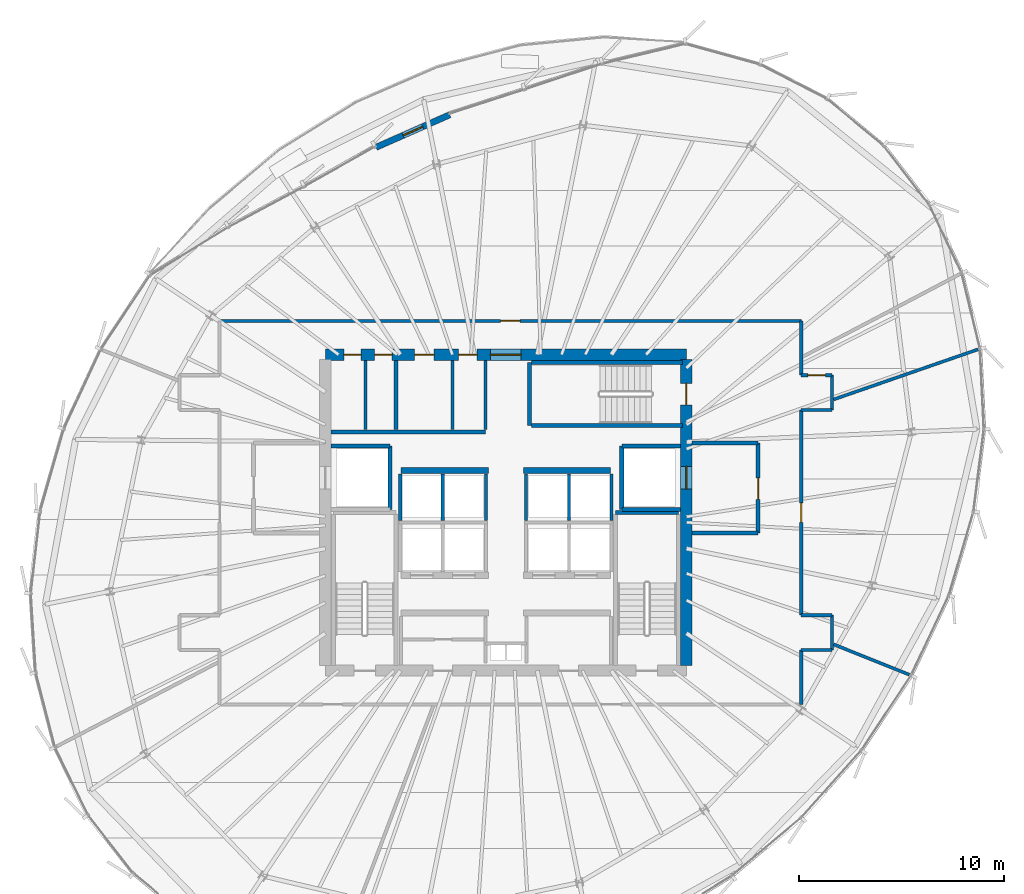
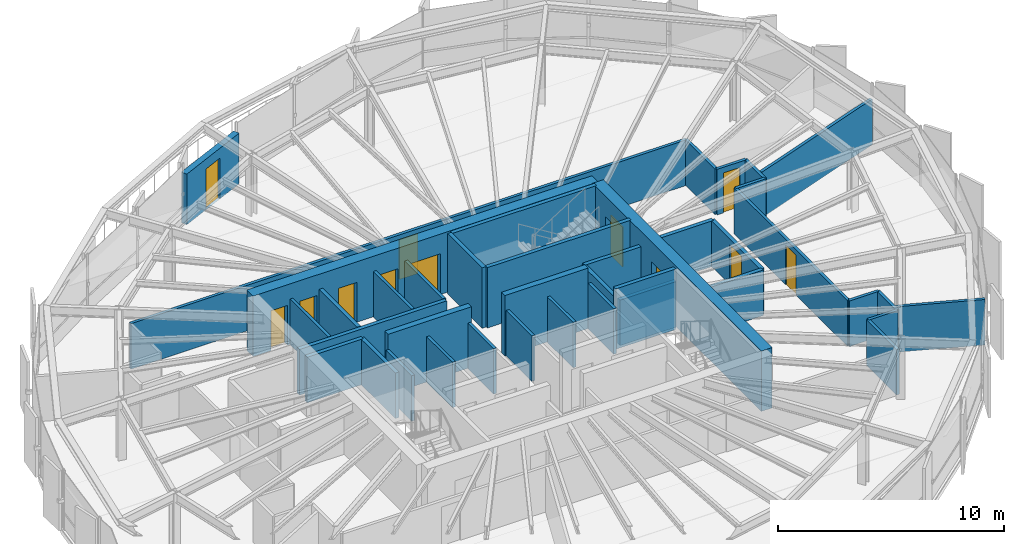
# One storey, part 29 of 33: 40 walls, 12 doors, 12 openings.
"""IFC4 building model written with IfcOpenShell, lengths in metres."""

from ifc_helpers import new_model, si_unit, direction, frame, frame_2d, origin, place, context, subcontext, project, spatial, rectangle, extrude, source, transform, mapped, material, layer, layer_set, type_object, element, fill, save


model = new_model("IFC4")

# Units and contexts
model_context = context("Model", 3, precision=1e-05, world=origin(), true_north=direction((0.0, 1.0)))
body_context = subcontext(model_context, "Body", "Model", "MODEL_VIEW")
ifc_project = project(units=[si_unit("LENGTHUNIT", "METRE"), si_unit("AREAUNIT", "SQUARE_METRE"), si_unit("VOLUMEUNIT", "CUBIC_METRE"), si_unit("PLANEANGLEUNIT", "RADIAN"), si_unit("MASSUNIT", "GRAM", prefix="KILO"), si_unit("THERMODYNAMICTEMPERATUREUNIT", "KELVIN")], contexts=[model_context])

# Site, building, storey
site_placement = place(None, origin())
site = spatial("IfcSite", under=ifc_project, at=site_placement, CompositionType="ELEMENT")
building_placement = place(site_placement, origin())
building = spatial("IfcBuilding", under=site, at=building_placement, Name="Kethvar Cultural Tower", CompositionType="ELEMENT")
storey_placement = place(building_placement, frame((0.0, 0.0, 211.39990234375)))
storey = spatial("IfcBuildingStorey", under=building, at=storey_placement, Name="L55", CompositionType="ELEMENT", Elevation=211.39990234375)

# Wall, openings, doors
ifc_material_1 = material(Name="Concrete C60/75", Category="concrete")
ifc_layer_1 = layer(ifc_material_1, 0.550048828125, Name="Concrete C60/75", Category="concrete")
ifc_layer_set_1 = layer_set([ifc_layer_1], Name="Concrete C60/75 (550 mm)")
wall_type_1 = type_object("IfcWallType", Name="WL-CORE-550", PredefinedType="SHEAR", material=ifc_layer_set_1)
wall_1_placement = place(storey_placement, frame((55.60009765625, 35.5, 0.0), z_axis=(0.0, 0.0, 1.0), x_axis=(-1.0, 0.0, 0.0)))
wall_1 = element("IfcWall", 1, at=wall_1_placement, inside=storey, type_object=wall_type_1, Name="L55 Core Shear Wall N", PredefinedType="SHEAR", context=body_context, shape_type="SweptSolid", body=[
    extrude(rectangle(XDim=17.60009765625, YDim=0.550048828125, at=frame_2d((8.800048828125, 0.0))), origin(), (0.0, 0.0, 1.0), 3.260009765625),
])
opening_1_placement = place(wall_1_placement, frame((8.050048828125, 0.0, 0.0)))
opening_1 = element("IfcOpeningElement", 2, at=opening_1_placement, cuts=wall_1, Name="Opening D-L55-LN", PredefinedType="OPENING", context=body_context, shape_type="SweptSolid", body=[
    extrude(rectangle(XDim=1.5, YDim=2.199951171875, at=frame_2d((0.75, 1.10009765625))), frame((0.0, 0.284912109375, 0.0), z_axis=(0.0, -1.0, 0.0), x_axis=(1.0, 0.0, 0.0)), (0.0, 0.0, 1.0), 0.570068359375),
])
opening_2_placement = place(wall_1_placement, frame((15.85009765625, 0.0, 0.0)))
opening_2 = element("IfcOpeningElement", 3, at=opening_2_placement, cuts=wall_1, Name="Opening D-L55-E1", PredefinedType="OPENING", context=body_context, shape_type="SweptSolid", body=[
    extrude(rectangle(XDim=0.85009765625, YDim=2.14990234375, at=frame_2d((0.425048828125, 1.074951171875))), frame((0.0, 0.284912109375, 0.0), z_axis=(0.0, -1.0, 0.0), x_axis=(1.0, 0.0, 0.0)), (0.0, 0.0, 1.0), 0.570068359375),
])
opening_3_placement = place(wall_1_placement, frame((14.35009765625, 0.0, 0.0)))
opening_3 = element("IfcOpeningElement", 4, at=opening_3_placement, cuts=wall_1, Name="Opening D-L55-E2", PredefinedType="OPENING", context=body_context, shape_type="SweptSolid", body=[
    extrude(rectangle(XDim=0.85009765625, YDim=2.14990234375, at=frame_2d((0.425048828125, 1.074951171875))), frame((0.0, 0.284912109375, 0.0), z_axis=(0.0, -1.0, 0.0), x_axis=(1.0, 0.0, 0.0)), (0.0, 0.0, 1.0), 0.570068359375),
])
opening_4_placement = place(wall_1_placement, frame((12.300048828125, 0.0, 0.0)))
opening_4 = element("IfcOpeningElement", 5, at=opening_4_placement, cuts=wall_1, Name="Opening D-L55-W1", PredefinedType="OPENING", context=body_context, shape_type="SweptSolid", body=[
    extrude(rectangle(XDim=0.949951171875, YDim=2.14990234375, at=frame_2d((0.47509765625, 1.074951171875))), frame((0.0, 0.284912109375, 0.0), z_axis=(0.0, -1.0, 0.0), x_axis=(1.0, 0.0, 0.0)), (0.0, 0.0, 1.0), 0.570068359375),
])
opening_5_placement = place(wall_1_placement, frame((10.199951171875, 0.0, 0.0)))
opening_5 = element("IfcOpeningElement", 6, at=opening_5_placement, cuts=wall_1, Name="Opening D-L55-W2", PredefinedType="OPENING", context=body_context, shape_type="SweptSolid", body=[
    extrude(rectangle(XDim=0.89990234375, YDim=2.14990234375, at=frame_2d((0.449951171875, 1.074951171875))), frame((0.0, 0.284912109375, 0.0), z_axis=(0.0, -1.0, 0.0), x_axis=(1.0, 0.0, 0.0)), (0.0, 0.0, 1.0), 0.570068359375),
])
ifc_material_2 = material(Name="Architectural Oak Timber", Category="wood")
door_type_1 = type_object("IfcDoorType", Name="DR-DBL-FD60-1500", OperationType="DOUBLE_DOOR_SINGLE_SWING", PredefinedType="DOOR", material=ifc_material_2)
shared_shape_1 = source(origin(), body_context, "Body", "SweptSolid", [
    extrude(rectangle(XDim=1.5, YDim=2.199951171875, at=frame_2d((0.75, 1.10009765625))), frame((0.0, 0.02490234375, 0.0), z_axis=(0.0, -1.0, 0.0), x_axis=(1.0, 0.0, 0.0)), (0.0, 0.0, 1.0), 0.050048828125),
])
door_1_placement = place(opening_1_placement, origin())
door_1 = element("IfcDoor", 7, at=door_1_placement, inside=storey, type_object=door_type_1, Name="L55 Lift Lobby Concourse Door", OperationType="DOUBLE_DOOR_SINGLE_SWING", OverallHeight=2.199951171875, OverallWidth=1.5, PredefinedType="DOOR", context=body_context, shape_type="MappedRepresentation", body=[
    mapped(shared_shape_1, transform((0.0, 0.0, 0.0), scale=1.0)),
])
fill(opening_1, door_1)
door_type_2 = type_object("IfcDoorType", Name="DR-FD30-950", OperationType="NOTDEFINED", PredefinedType="DOOR", material=ifc_material_2)
shared_shape_2 = source(origin(), body_context, "Body", "SweptSolid", [
    extrude(rectangle(XDim=0.949951171875, YDim=2.14990234375, at=frame_2d((0.47509765625, 1.074951171875))), frame((0.0, 0.02490234375, 0.0), z_axis=(0.0, -1.0, 0.0), x_axis=(1.0, 0.0, 0.0)), (0.0, 0.0, 1.0), 0.050048828125),
])
door_2_placement = place(opening_4_placement, origin())
door_2 = element("IfcDoor", 8, at=door_2_placement, inside=storey, type_object=door_type_2, Name="L55 Public Washroom Door", OperationType="SINGLE_SWING_LEFT", OverallHeight=2.14990234375, OverallWidth=0.949951171875, PredefinedType="DOOR", context=body_context, shape_type="MappedRepresentation", body=[
    mapped(shared_shape_2, transform((0.0, 0.0, 0.0), scale=1.0)),
])
fill(opening_4, door_2)
door_type_3 = type_object("IfcDoorType", Name="DR-FD30-900", OperationType="NOTDEFINED", PredefinedType="DOOR", material=ifc_material_2)
shared_shape_3 = source(origin(), body_context, "Body", "SweptSolid", [
    extrude(rectangle(XDim=0.89990234375, YDim=2.14990234375, at=frame_2d((0.449951171875, 1.074951171875))), frame((0.0, 0.02490234375, 0.0), z_axis=(0.0, -1.0, 0.0), x_axis=(1.0, 0.0, 0.0)), (0.0, 0.0, 1.0), 0.050048828125),
])
door_3_placement = place(opening_5_placement, origin())
door_3 = element("IfcDoor", 9, at=door_3_placement, inside=storey, type_object=door_type_3, Name="L55 Accessible Washroom Door", OperationType="SINGLE_SWING_RIGHT", OverallHeight=2.14990234375, OverallWidth=0.89990234375, PredefinedType="DOOR", context=body_context, shape_type="MappedRepresentation", body=[
    mapped(shared_shape_3, transform((0.0, 0.0, 0.0), scale=1.0)),
])
fill(opening_5, door_3)
ifc_material_3 = material(Name="Steel S355J2", Category="steel")
door_type_4 = type_object("IfcDoorType", Name="DR-FD30-850", OperationType="NOTDEFINED", PredefinedType="DOOR", material=ifc_material_3)
shared_shape_4 = source(origin(), body_context, "Body", "SweptSolid", [
    extrude(rectangle(XDim=0.85009765625, YDim=2.14990234375, at=frame_2d((0.425048828125, 1.074951171875))), frame((0.0, 0.02490234375, 0.0), z_axis=(0.0, -1.0, 0.0), x_axis=(1.0, 0.0, 0.0)), (0.0, 0.0, 1.0), 0.050048828125),
])
door_4_placement = place(opening_2_placement, origin())
door_4 = element("IfcDoor", 10, at=door_4_placement, inside=storey, type_object=door_type_4, Name="L55 Electrical Riser Door", OperationType="SINGLE_SWING_LEFT", OverallHeight=2.14990234375, OverallWidth=0.85009765625, PredefinedType="DOOR", context=body_context, shape_type="MappedRepresentation", body=[
    mapped(shared_shape_4, transform((0.0, 0.0, 0.0), scale=1.0)),
])
fill(opening_2, door_4)
door_5_placement = place(opening_3_placement, origin())
door_5 = element("IfcDoor", 11, at=door_5_placement, inside=storey, type_object=door_type_4, Name="L55 Chilled Water Riser Door", OperationType="SINGLE_SWING_RIGHT", OverallHeight=2.14990234375, OverallWidth=0.85009765625, PredefinedType="DOOR", context=body_context, shape_type="MappedRepresentation", body=[
    mapped(shared_shape_4, transform((0.0, 0.0, 0.0), scale=1.0)),
])
fill(opening_3, door_5)

wall_2_placement = place(storey_placement, frame((55.60009765625, 20.340087890625, 0.0), z_axis=(0.0, 0.0, 1.0), x_axis=(0.0, 1.0, 0.0)))
wall_2 = element("IfcWall", 12, at=wall_2_placement, inside=storey, type_object=wall_type_1, Name="L55 Core Shear Wall E", PredefinedType="SHEAR", context=body_context, shape_type="SweptSolid", body=[
    extrude(rectangle(XDim=14.919921875, YDim=0.550048828125, at=frame_2d((7.4599609375, 0.0))), origin(), (0.0, 0.0, 1.0), 3.260009765625),
])
opening_6_placement = place(wall_2_placement, frame((12.7099609375, 0.0, 0.0)))
opening_6 = element("IfcOpeningElement", 13, at=opening_6_placement, cuts=wall_2, Name="Opening D-L55-S3", PredefinedType="OPENING", context=body_context, shape_type="SweptSolid", body=[
    extrude(rectangle(XDim=1.050048828125, YDim=2.14990234375, at=frame_2d((0.52490234375, 1.074951171875))), frame((0.0, 0.284912109375, 0.0), z_axis=(0.0, -1.0, 0.0), x_axis=(1.0, 0.0, 0.0)), (0.0, 0.0, 1.0), 0.570068359375),
])
opening_7_placement = place(wall_2_placement, frame((8.610107421875, 0.0, 0.0)))
opening_7 = element("IfcOpeningElement", 14, at=opening_7_placement, cuts=wall_2, Name="Opening LD-2", PredefinedType="OPENING", context=body_context, shape_type="SweptSolid", body=[
    extrude(rectangle(XDim=1.10009765625, YDim=2.199951171875, at=frame_2d((0.550048828125, 1.10009765625))), frame((0.0, 0.284912109375, 0.0), z_axis=(0.0, -1.0, 0.0), x_axis=(1.0, 0.0, 0.0)), (0.0, 0.0, 1.0), 0.570068359375),
])
door_type_5 = type_object("IfcDoorType", Name="DR-FD60-1050", OperationType="NOTDEFINED", PredefinedType="DOOR", material=ifc_material_3)
shared_shape_5 = source(origin(), body_context, "Body", "SweptSolid", [
    extrude(rectangle(XDim=1.050048828125, YDim=2.14990234375, at=frame_2d((0.52490234375, 1.074951171875))), frame((0.0, 0.02490234375, 0.0), z_axis=(0.0, -1.0, 0.0), x_axis=(1.0, 0.0, 0.0)), (0.0, 0.0, 1.0), 0.050048828125),
])
door_6_placement = place(opening_6_placement, origin())
door_6 = element("IfcDoor", 15, at=door_6_placement, inside=storey, type_object=door_type_5, Name="L55 Exit Stair 3 Door", OperationType="SINGLE_SWING_LEFT", OverallHeight=2.14990234375, OverallWidth=1.050048828125, PredefinedType="DOOR", context=body_context, shape_type="MappedRepresentation", body=[
    mapped(shared_shape_5, transform((0.0, 0.0, 0.0), scale=1.0)),
])
fill(opening_6, door_6)
door_type_6 = type_object("IfcDoorType", Name="DR-LIFT-SLIDE-1100", OperationType="NOTDEFINED", PredefinedType="DOOR", material=ifc_material_3)
shared_shape_6 = source(origin(), body_context, "Body", "SweptSolid", [
    extrude(rectangle(XDim=1.10009765625, YDim=2.199951171875, at=frame_2d((0.550048828125, 1.10009765625))), frame((0.0, 0.02490234375, 0.0), z_axis=(0.0, -1.0, 0.0), x_axis=(1.0, 0.0, 0.0)), (0.0, 0.0, 1.0), 0.050048828125),
])
door_7_placement = place(opening_7_placement, origin())
door_7 = element("IfcDoor", 16, at=door_7_placement, inside=storey, type_object=door_type_6, Name="L55 Firefighting Lift Landing Door FFL-02", OperationType="SLIDING_TO_RIGHT", OverallHeight=2.199951171875, OverallWidth=1.10009765625, PredefinedType="DOOR", context=body_context, shape_type="MappedRepresentation", body=[
    mapped(shared_shape_6, transform((0.0, 0.0, 0.0), scale=1.0)),
])
fill(opening_7, door_7)

# Wall, opening, door
ifc_material_4 = material(Name="Concrete C40/50", Category="concrete")
ifc_layer_2 = layer(ifc_material_4, 0.300048828125, Name="Concrete C40/50", Category="concrete")
ifc_layer_set_2 = layer_set([ifc_layer_2], Name="Concrete C40/50 (300 mm)")
wall_type_2 = type_object("IfcWallType", Name="WL-EXT-TER-300", PredefinedType="SOLIDWALL", material=ifc_layer_set_2)
wall_3_placement = place(storey_placement, frame((40.471923828125, 45.607666015625, 0.0), z_axis=(0.0, 0.0, 1.0), x_axis=(0.914758259642, 0.404001641602, 0.0)))
wall_3 = element("IfcWall", 17, at=wall_3_placement, inside=storey, type_object=wall_type_2, Name="L55 Sky Terrace Access Wall", PredefinedType="SOLIDWALL", context=body_context, shape_type="SweptSolid", body=[
    extrude(rectangle(XDim=3.92431640625, YDim=0.300048828125, at=frame_2d((1.962158203125, 0.0))), origin(), (0.0, 0.0, 1.0), 2.735107421875),
])
opening_8_placement = place(wall_3_placement, frame((1.437255859375, 0.0, 0.0)))
opening_8 = element("IfcOpeningElement", 18, at=opening_8_placement, cuts=wall_3, Name="Opening D-L55-T1", PredefinedType="OPENING", context=body_context, shape_type="SweptSolid", body=[
    extrude(rectangle(XDim=1.050048828125, YDim=2.199951171875, at=frame_2d((0.52490234375, 1.10009765625))), frame((0.0, 0.159912109375, 0.0), z_axis=(0.0, -1.0, 0.0), x_axis=(1.0, 0.0, 0.0)), (0.0, 0.0, 1.0), 0.320068359375),
])
ifc_material_5 = material(Name="Aluminium 6063-T6", Category="aluminium")
door_type_7 = type_object("IfcDoorType", Name="DR-EXT-TER-1050", OperationType="NOTDEFINED", PredefinedType="DOOR", material=ifc_material_5)
shared_shape_7 = source(origin(), body_context, "Body", "SweptSolid", [
    extrude(rectangle(XDim=1.050048828125, YDim=2.199951171875, at=frame_2d((0.52490234375, 1.10009765625))), frame((0.0, 0.02490234375, 0.0), z_axis=(0.0, -1.0, 0.0), x_axis=(1.0, 0.0, 0.0)), (0.0, 0.0, 1.0), 0.050048828125),
])
door_8_placement = place(opening_8_placement, origin())
door_8 = element("IfcDoor", 19, at=door_8_placement, inside=storey, type_object=door_type_7, Name="L55 Sky Terrace Access Door D-L55-T1", OperationType="SINGLE_SWING_LEFT", OverallHeight=2.199951171875, OverallWidth=1.050048828125, PredefinedType="DOOR", context=body_context, shape_type="MappedRepresentation", body=[
    mapped(shared_shape_7, transform((0.0, 0.0, 0.0), scale=1.0)),
])
fill(opening_8, door_8)

# Walls
ifc_material_6 = material(Name="Gypsum Fireboard Partition")
ifc_layer_3 = layer(ifc_material_6, 0.14990234375, Name="Gypsum Fireboard Partition")
ifc_layer_set_3 = layer_set([ifc_layer_3], Name="Gypsum Fireboard Partition (150 mm)")
wall_type_3 = type_object("IfcWallType", Name="WL-FIRE-150", PredefinedType="PARTITIONING", material=ifc_layer_set_3)
for number, where, z_axis, x_axis, name in (
    (20, (41.64990234375, 27.409912109375, 0.0), (0.0, 0.0, 1.0), (0.0, 1.0, 0.0), "L55 High-Rise Lift Shaft Outer Wall W"),
    (21, (43.72509765625, 27.409912109375, 0.0), (0.0, 0.0, 1.0), (0.0, 1.0, 0.0), "L55 High-Rise Lift Shaft Divider W"),
    (22, (45.824951171875, 27.409912109375, 0.0), (0.0, 0.0, 1.0), (0.0, 1.0, 0.0), "L55 High-Rise Lift Shaft Concourse Wall W"),
    (23, (47.77490234375, 27.409912109375, 0.0), (0.0, 0.0, 1.0), (0.0, 1.0, 0.0), "L55 High-Rise Lift Shaft Concourse Wall E"),
    (24, (49.875, 27.409912109375, 0.0), (0.0, 0.0, 1.0), (0.0, 1.0, 0.0), "L55 High-Rise Lift Shaft Divider E"),
    (25, (51.949951171875, 27.409912109375, 0.0), (0.0, 0.0, 1.0), (0.0, 1.0, 0.0), "L55 High-Rise Lift Shaft Outer Wall E"),
):
    element("IfcWall", number, at=place(storey_placement, frame(where, z_axis=z_axis, x_axis=x_axis)), inside=storey, type_object=wall_type_3, Name=name, PredefinedType="PARTITIONING", context=body_context, shape_type="SweptSolid", body=[
        extrude(rectangle(XDim=2.27001953125, YDim=0.14990234375, at=frame_2d((1.135009765625, 0.0))), origin(), (0.0, 0.0, 1.0), 2.455078125),
    ])
for number, where, z_axis, x_axis, name in (
    (26, (45.800048828125, 31.85009765625, 0.0), (0.0, 0.0, 1.0), (0.0, 1.0, 0.0), "L55 Sanitary Spine Wall"),
    (27, (39.949951171875, 31.85009765625, 0.0), (0.0, 0.0, 1.0), (0.0, 1.0, 0.0), "L55 NW Riser Divider"),
):
    element("IfcWall", number, at=place(storey_placement, frame(where, z_axis=z_axis, x_axis=x_axis)), inside=storey, type_object=wall_type_3, Name=name, PredefinedType="PARTITIONING", context=body_context, shape_type="SweptSolid", body=[
        extrude(rectangle(XDim=3.364990234375, YDim=0.14990234375, at=frame_2d((1.6826171875, 0.0))), origin(), (0.0, 0.0, 1.0), 2.455078125),
    ])
wall_4_placement = place(storey_placement, frame((61.199951171875, 18.449951171875, 0.0), z_axis=(0.0, 0.0, 1.0), x_axis=(0.0, 1.0, 0.0)))
element("IfcWall", 28, at=wall_4_placement, inside=storey, type_object=wall_type_3, Name="L55 Corridor Rated Wall E1", PredefinedType="PARTITIONING", context=body_context, shape_type="SweptSolid", body=[
    extrude(rectangle(XDim=2.650146484375, YDim=0.14990234375, at=frame_2d((1.3251953125, 0.0))), origin(), (0.0, 0.0, 1.0), 2.455078125),
])
wall_5_placement = place(storey_placement, frame((61.199951171875, 21.10009765625, 0.0), z_axis=(0.0, 0.0, 1.0), x_axis=(1.0, 0.0, 0.0)))
element("IfcWall", 29, at=wall_5_placement, inside=storey, type_object=wall_type_3, Name="L55 Corridor Rated Wall ESB", PredefinedType="PARTITIONING", context=body_context, shape_type="SweptSolid", body=[
    extrude(rectangle(XDim=1.5, YDim=0.14990234375, at=frame_2d((0.75, 0.0))), origin(), (0.0, 0.0, 1.0), 2.455078125),
])
wall_6_placement = place(storey_placement, frame((62.699951171875, 21.10009765625, 0.0), z_axis=(0.0, 0.0, 1.0), x_axis=(0.0, 1.0, 0.0)))
element("IfcWall", 30, at=wall_6_placement, inside=storey, type_object=wall_type_3, Name="L55 Corridor Rated Wall ES", PredefinedType="PARTITIONING", context=body_context, shape_type="SweptSolid", body=[
    extrude(rectangle(XDim=1.699951171875, YDim=0.14990234375, at=frame_2d((0.85009765625, 0.0))), origin(), (0.0, 0.0, 1.0), 2.455078125),
])
wall_7_placement = place(storey_placement, frame((62.699951171875, 22.800048828125, 0.0), z_axis=(0.0, 0.0, 1.0), x_axis=(-1.0, 0.0, 0.0)))
element("IfcWall", 31, at=wall_7_placement, inside=storey, type_object=wall_type_3, Name="L55 Corridor Rated Wall EST", PredefinedType="PARTITIONING", context=body_context, shape_type="SweptSolid", body=[
    extrude(rectangle(XDim=1.5, YDim=0.14990234375, at=frame_2d((0.75, 0.0))), origin(), (0.0, 0.0, 1.0), 2.455078125),
])

# Wall, opening, door
wall_8_placement = place(storey_placement, frame((61.199951171875, 22.800048828125, 0.0), z_axis=(0.0, 0.0, 1.0), x_axis=(0.0, 1.0, 0.0)))
wall_8 = element("IfcWall", 32, at=wall_8_placement, inside=storey, type_object=wall_type_3, Name="L55 Corridor Rated Wall EM", PredefinedType="PARTITIONING", context=body_context, shape_type="SweptSolid", body=[
    extrude(rectangle(XDim=10.0, YDim=0.14990234375, at=frame_2d((5.0, 0.0))), origin(), (0.0, 0.0, 1.0), 2.455078125),
])
opening_9_placement = place(wall_8_placement, frame((4.52490234375, 0.0, 0.0)))
opening_9 = element("IfcOpeningElement", 33, at=opening_9_placement, cuts=wall_8, Name="Opening D-L55-03", PredefinedType="OPENING", context=body_context, shape_type="SweptSolid", body=[
    extrude(rectangle(XDim=0.949951171875, YDim=2.14990234375, at=frame_2d((0.47509765625, 1.074951171875))), frame((0.0, 0.0849609375, 0.0), z_axis=(0.0, -1.0, 0.0), x_axis=(1.0, 0.0, 0.0)), (0.0, 0.0, 1.0), 0.169921875),
])
door_9_placement = place(opening_9_placement, origin())
door_9 = element("IfcDoor", 34, at=door_9_placement, inside=storey, type_object=door_type_2, Name="L55 Decorative Arts Craft Workshop 03 Door", OperationType="SINGLE_SWING_RIGHT", OverallHeight=2.14990234375, OverallWidth=0.949951171875, PredefinedType="DOOR", context=body_context, shape_type="MappedRepresentation", body=[
    mapped(shared_shape_2, transform((0.0, 0.0, 0.0), scale=1.0)),
])
fill(opening_9, door_9)

# Walls
wall_9_placement = place(storey_placement, frame((61.199951171875, 32.800048828125, 0.0), z_axis=(0.0, 0.0, 1.0), x_axis=(1.0, 0.0, 0.0)))
element("IfcWall", 35, at=wall_9_placement, inside=storey, type_object=wall_type_3, Name="L55 Corridor Rated Wall ENB", PredefinedType="PARTITIONING", context=body_context, shape_type="SweptSolid", body=[
    extrude(rectangle(XDim=1.5, YDim=0.14990234375, at=frame_2d((0.75, 0.0))), origin(), (0.0, 0.0, 1.0), 2.455078125),
])
wall_10_placement = place(storey_placement, frame((62.699951171875, 32.800048828125, 0.0), z_axis=(0.0, 0.0, 1.0), x_axis=(0.0, 1.0, 0.0)))
element("IfcWall", 36, at=wall_10_placement, inside=storey, type_object=wall_type_3, Name="L55 Corridor Rated Wall EN", PredefinedType="PARTITIONING", context=body_context, shape_type="SweptSolid", body=[
    extrude(rectangle(XDim=1.699951171875, YDim=0.14990234375, at=frame_2d((0.85009765625, 0.0))), origin(), (0.0, 0.0, 1.0), 2.455078125),
])

# Wall, opening, door
wall_11_placement = place(storey_placement, frame((62.699951171875, 34.5, 0.0), z_axis=(0.0, 0.0, 1.0), x_axis=(-1.0, 0.0, 0.0)))
wall_11 = element("IfcWall", 37, at=wall_11_placement, inside=storey, type_object=wall_type_3, Name="L55 Corridor Rated Wall ENT", PredefinedType="PARTITIONING", context=body_context, shape_type="SweptSolid", body=[
    extrude(rectangle(XDim=1.5, YDim=0.14990234375, at=frame_2d((0.75, 0.0))), origin(), (0.0, 0.0, 1.0), 2.455078125),
])
opening_10_placement = place(wall_11_placement, frame((0.324951171875, 0.0, 0.0)))
opening_10 = element("IfcOpeningElement", 38, at=opening_10_placement, cuts=wall_11, Name="Opening D-L55-04", PredefinedType="OPENING", context=body_context, shape_type="SweptSolid", body=[
    extrude(rectangle(XDim=0.85009765625, YDim=2.14990234375, at=frame_2d((0.425048828125, 1.074951171875))), frame((0.0, 0.0849609375, 0.0), z_axis=(0.0, -1.0, 0.0), x_axis=(1.0, 0.0, 0.0)), (0.0, 0.0, 1.0), 0.169921875),
])
door_10_placement = place(opening_10_placement, origin())
door_10 = element("IfcDoor", 39, at=door_10_placement, inside=storey, type_object=door_type_4, Name="L55 Scholars' Den Lounge 04 Door", OperationType="SINGLE_SWING_LEFT", OverallHeight=2.14990234375, OverallWidth=0.85009765625, PredefinedType="DOOR", context=body_context, shape_type="MappedRepresentation", body=[
    mapped(shared_shape_4, transform((0.0, 0.0, 0.0), scale=1.0)),
])
fill(opening_10, door_10)

# Wall
wall_12_placement = place(storey_placement, frame((61.199951171875, 34.5, 0.0), z_axis=(0.0, 0.0, 1.0), x_axis=(0.0, 1.0, 0.0)))
element("IfcWall", 40, at=wall_12_placement, inside=storey, type_object=wall_type_3, Name="L55 Corridor Rated Wall E2", PredefinedType="PARTITIONING", context=body_context, shape_type="SweptSolid", body=[
    extrude(rectangle(XDim=2.64990234375, YDim=0.14990234375, at=frame_2d((1.324951171875, 0.0))), origin(), (0.0, 0.0, 1.0), 2.455078125),
])

# Wall, opening, door
wall_13_placement = place(storey_placement, frame((61.199951171875, 37.14990234375, 0.0), z_axis=(0.0, 0.0, 1.0), x_axis=(-1.0, 0.0, 0.0)))
wall_13 = element("IfcWall", 41, at=wall_13_placement, inside=storey, type_object=wall_type_3, Name="L55 Corridor Rated Wall N", PredefinedType="PARTITIONING", context=body_context, shape_type="SweptSolid", body=[
    extrude(rectangle(XDim=28.349853515625, YDim=0.14990234375, at=frame_2d((14.1748046875, 0.0))), origin(), (0.0, 0.0, 1.0), 2.455078125),
])
opening_11_placement = place(wall_13_placement, frame((13.699951171875, 0.0, 0.0)))
opening_11 = element("IfcOpeningElement", 42, at=opening_11_placement, cuts=wall_13, Name="Opening D-L55-05", PredefinedType="OPENING", context=body_context, shape_type="SweptSolid", body=[
    extrude(rectangle(XDim=0.949951171875, YDim=2.14990234375, at=frame_2d((0.47509765625, 1.074951171875))), frame((0.0, 0.0849609375, 0.0), z_axis=(0.0, -1.0, 0.0), x_axis=(1.0, 0.0, 0.0)), (0.0, 0.0, 1.0), 0.169921875),
])
door_11_placement = place(opening_11_placement, origin())
door_11 = element("IfcDoor", 43, at=door_11_placement, inside=storey, type_object=door_type_2, Name="L55 Symposium Conference Room 05 Door", OperationType="SINGLE_SWING_RIGHT", OverallHeight=2.14990234375, OverallWidth=0.949951171875, PredefinedType="DOOR", context=body_context, shape_type="MappedRepresentation", body=[
    mapped(shared_shape_2, transform((0.0, 0.0, 0.0), scale=1.0)),
])
fill(opening_11, door_11)

# Walls
ifc_layer_4 = layer(ifc_material_4, 0.199951171875, Name="Concrete C40/50", Category="concrete")
ifc_layer_set_4 = layer_set([ifc_layer_4], Name="Concrete C40/50 (200 mm)")
wall_type_4 = type_object("IfcWallType", Name="WL-FIRE-200", PredefinedType="PARTITIONING", material=ifc_layer_set_4)
wall_14_placement = place(storey_placement, frame((41.14990234375, 27.949951171875, 0.0), z_axis=(0.0, 0.0, 1.0), x_axis=(0.0, 1.0, 0.0)))
element("IfcWall", 44, at=wall_14_placement, inside=storey, type_object=wall_type_4, Name="L55 FFL-01 Shaft Inner Wall", PredefinedType="PARTITIONING", context=body_context, shape_type="SweptSolid", body=[
    extrude(rectangle(XDim=3.10009765625, YDim=0.199951171875, at=frame_2d((1.550048828125, 0.0))), origin(), (0.0, 0.0, 1.0), 2.455078125),
])
wall_15_placement = place(storey_placement, frame((38.284912109375, 31.050048828125, 0.0), z_axis=(0.0, 0.0, 1.0), x_axis=(1.0, 0.0, 0.0)))
element("IfcWall", 45, at=wall_15_placement, inside=storey, type_object=wall_type_4, Name="L55 FFL-01 Shaft North Wall", PredefinedType="PARTITIONING", context=body_context, shape_type="SweptSolid", body=[
    extrude(rectangle(XDim=2.864990234375, YDim=0.199951171875, at=frame_2d((1.4326171875, 0.0))), origin(), (0.0, 0.0, 1.0), 2.455078125),
])
wall_16_placement = place(storey_placement, frame((52.449951171875, 27.949951171875, 0.0), z_axis=(0.0, 0.0, 1.0), x_axis=(0.0, 1.0, 0.0)))
element("IfcWall", 46, at=wall_16_placement, inside=storey, type_object=wall_type_4, Name="L55 FFL-02 Shaft Inner Wall", PredefinedType="PARTITIONING", context=body_context, shape_type="SweptSolid", body=[
    extrude(rectangle(XDim=3.10009765625, YDim=0.199951171875, at=frame_2d((1.550048828125, 0.0))), origin(), (0.0, 0.0, 1.0), 2.455078125),
])
for number, where, z_axis, x_axis, name in (
    (47, (52.449951171875, 27.949951171875, 0.0), (0.0, 0.0, 1.0), (1.0, 0.0, 0.0), "L55 FFL-02 Shaft South Wall"),
    (48, (52.449951171875, 31.050048828125, 0.0), (0.0, 0.0, 1.0), (1.0, 0.0, 0.0), "L55 FFL-02 Shaft North Wall"),
):
    element("IfcWall", number, at=place(storey_placement, frame(where, z_axis=z_axis, x_axis=x_axis)), inside=storey, type_object=wall_type_4, Name=name, PredefinedType="PARTITIONING", context=body_context, shape_type="SweptSolid", body=[
        extrude(rectangle(XDim=2.864990234375, YDim=0.199951171875, at=frame_2d((1.4326171875, 0.0))), origin(), (0.0, 0.0, 1.0), 2.455078125),
    ])

# Wall, opening, door
wall_17_placement = place(storey_placement, frame((59.10009765625, 26.800048828125, 0.0), z_axis=(0.0, 0.0, 1.0), x_axis=(0.0, 1.0, 0.0)))
wall_17 = element("IfcWall", 49, at=wall_17_placement, inside=storey, type_object=wall_type_4, Name="L55 Firefighting Lobby 2 Wall", PredefinedType="PARTITIONING", context=body_context, shape_type="SweptSolid", body=[
    extrude(rectangle(XDim=4.39990234375, YDim=0.199951171875, at=frame_2d((2.199951171875, 0.0))), origin(), (0.0, 0.0, 1.0), 2.455078125),
])
opening_12_placement = place(wall_17_placement, frame((1.64990234375, 0.0, 0.0)))
opening_12 = element("IfcOpeningElement", 50, at=opening_12_placement, cuts=wall_17, Name="Opening D-L55-F2", PredefinedType="OPENING", context=body_context, shape_type="SweptSolid", body=[
    extrude(rectangle(XDim=1.050048828125, YDim=2.14990234375, at=frame_2d((0.52490234375, 1.074951171875))), frame((0.0, 0.10986328125, 0.0), z_axis=(0.0, -1.0, 0.0), x_axis=(1.0, 0.0, 0.0)), (0.0, 0.0, 1.0), 0.219970703125),
])
door_12_placement = place(opening_12_placement, origin())
door_12 = element("IfcDoor", 51, at=door_12_placement, inside=storey, type_object=door_type_5, Name="L55 Firefighting Lobby 2 Fire Door", OperationType="SINGLE_SWING_LEFT", OverallHeight=2.14990234375, OverallWidth=1.050048828125, PredefinedType="DOOR", context=body_context, shape_type="MappedRepresentation", body=[
    mapped(shared_shape_5, transform((0.0, 0.0, 0.0), scale=1.0)),
])
fill(opening_12, door_12)

# Walls
for number, where, z_axis, x_axis, name in (
    (52, (55.885009765625, 26.800048828125, 0.0), (0.0, 0.0, 1.0), (1.0, 0.0, 0.0), "L55 FF Lobby 2 South Wall"),
    (53, (55.885009765625, 31.199951171875, 0.0), (0.0, 0.0, 1.0), (1.0, 0.0, 0.0), "L55 FF Lobby 2 North Wall"),
):
    element("IfcWall", number, at=place(storey_placement, frame(where, z_axis=z_axis, x_axis=x_axis)), inside=storey, type_object=wall_type_4, Name=name, PredefinedType="PARTITIONING", context=body_context, shape_type="SweptSolid", body=[
        extrude(rectangle(XDim=3.215087890625, YDim=0.199951171875, at=frame_2d((1.607421875, 0.0))), origin(), (0.0, 0.0, 1.0), 2.455078125),
    ])
wall_18_placement = place(storey_placement, frame((41.449951171875, 31.85009765625, 0.0), z_axis=(0.0, 0.0, 1.0), x_axis=(0.0, 1.0, 0.0)))
element("IfcWall", 54, at=wall_18_placement, inside=storey, type_object=wall_type_4, Name="L55 NW Core Pocket Wall", PredefinedType="PARTITIONING", context=body_context, shape_type="SweptSolid", body=[
    extrude(rectangle(XDim=3.364990234375, YDim=0.199951171875, at=frame_2d((1.6826171875, 0.0))), origin(), (0.0, 0.0, 1.0), 2.455078125),
])
wall_19_placement = place(storey_placement, frame((38.284912109375, 31.72998046875, 0.0), z_axis=(0.0, 0.0, 1.0), x_axis=(1.0, 0.0, 0.0)))
element("IfcWall", 55, at=wall_19_placement, inside=storey, type_object=wall_type_4, Name="L55 North Core Sanitary South Wall", PredefinedType="PARTITIONING", context=body_context, shape_type="SweptSolid", body=[
    extrude(rectangle(XDim=7.51513671875, YDim=0.199951171875, at=frame_2d((3.757568359375, 0.0))), origin(), (0.0, 0.0, 1.0), 2.455078125),
])
ifc_material_7 = material(Name="Gypsum Acoustic Partition")
ifc_layer_5 = layer(ifc_material_7, 0.14990234375, Name="Gypsum Acoustic Partition")
ifc_layer_set_5 = layer_set([ifc_layer_5], Name="Gypsum Acoustic Partition (150 mm)")
wall_type_5 = type_object("IfcWallType", Name="WL-PART-150", PredefinedType="PARTITIONING", material=ifc_layer_set_5)
wall_20_placement = place(storey_placement, frame((62.7744140625, 21.381103515625, 0.0), z_axis=(0.0, 0.0, 1.0), x_axis=(0.928434336996, -0.371496543573, 0.0)))
element("IfcWall", 56, at=wall_20_placement, inside=storey, type_object=wall_type_5, Name="L55 Radial Partition Wall 03", PredefinedType="PARTITIONING", context=body_context, shape_type="SweptSolid", body=[
    extrude(rectangle(XDim=3.975830078125, YDim=0.14990234375, at=frame_2d((1.98779296875, 0.0))), origin(), (0.0, 0.0, 1.0), 2.455078125),
])
wall_21_placement = place(storey_placement, frame((62.775634765625, 33.316650390625, 0.0), z_axis=(0.0, 0.0, 1.0), x_axis=(0.944787019259, 0.327685044274, 0.0)))
element("IfcWall", 57, at=wall_21_placement, inside=storey, type_object=wall_type_5, Name="L55 Radial Partition Wall 04", PredefinedType="PARTITIONING", context=body_context, shape_type="SweptSolid", body=[
    extrude(rectangle(XDim=7.4580078125, YDim=0.14990234375, at=frame_2d((3.72900390625, 0.0))), origin(), (0.0, 0.0, 1.0), 2.455078125),
])
ifc_material_8 = material(Name="Moisture-Resistant Sanitary Chase Wall")
ifc_layer_6 = layer(ifc_material_8, 0.14990234375, Name="Moisture-Resistant Sanitary Chase Wall")
ifc_layer_set_6 = layer_set([ifc_layer_6], Name="Moisture-Resistant Sanitary Chase Wall (150 mm)")
wall_type_6 = type_object("IfcWallType", Name="WL-PLUMB-150", PredefinedType="PLUMBINGWALL", material=ifc_layer_set_6)
wall_22_placement = place(storey_placement, frame((44.199951171875, 31.85009765625, 0.0), z_axis=(0.0, 0.0, 1.0), x_axis=(0.0, 1.0, 0.0)))
element("IfcWall", 58, at=wall_22_placement, inside=storey, type_object=wall_type_6, Name="L55 Sanitary Plumbing Wall", PredefinedType="PLUMBINGWALL", context=body_context, shape_type="SweptSolid", body=[
    extrude(rectangle(XDim=3.364990234375, YDim=0.14990234375, at=frame_2d((1.6826171875, 0.0))), origin(), (0.0, 0.0, 1.0), 2.455078125),
])
ifc_material_9 = material(Name="Concrete C50/60", Category="concrete")
ifc_layer_7 = layer(ifc_material_9, 0.300048828125, Name="Concrete C50/60", Category="concrete")
ifc_layer_set_7 = layer_set([ifc_layer_7], Name="Concrete C50/60 (300 mm)")
wall_type_7 = type_object("IfcWallType", Name="WL-SHAFT-300", PredefinedType="SHEAR", material=ifc_layer_set_7)
for number, where, z_axis, x_axis, name in (
    (59, (41.699951171875, 29.85009765625, 0.0), (0.0, 0.0, 1.0), (1.0, 0.0, 0.0), "L55 Core Lift Spine Wall MID3W"),
    (60, (47.64990234375, 29.85009765625, 0.0), (0.0, 0.0, 1.0), (1.0, 0.0, 0.0), "L55 Core Lift Spine Wall MID3E"),
):
    element("IfcWall", number, at=place(storey_placement, frame(where, z_axis=z_axis, x_axis=x_axis)), inside=storey, type_object=wall_type_7, Name=name, PredefinedType="SHEAR", context=body_context, shape_type="SweptSolid", body=[
        extrude(rectangle(XDim=4.25, YDim=0.300048828125, at=frame_2d((2.125, 0.0))), origin(), (0.0, 0.0, 1.0), 3.260009765625),
    ])
ifc_layer_8 = layer(ifc_material_9, 0.199951171875, Name="Concrete C50/60", Category="concrete")
ifc_layer_set_8 = layer_set([ifc_layer_8], Name="Concrete C50/60 (200 mm)")
wall_type_8 = type_object("IfcWallType", Name="WL-STSHAFT-200", PredefinedType="SHEAR", material=ifc_layer_set_8)
for number, where, z_axis, x_axis, name in (
    (61, (52.14990234375, 27.800048828125, 0.0), (0.0, 0.0, 1.0), (1.0, 0.0, 0.0), "L55 ST-02 Stair Shaft Wall FAR"),
    (62, (47.949951171875, 32.050048828125, 0.0), (0.0, 0.0, 1.0), (0.0, 1.0, 0.0), "L55 ST-03 Stair Shaft Wall FAR"),
):
    element("IfcWall", number, at=place(storey_placement, frame(where, z_axis=z_axis, x_axis=x_axis)), inside=storey, type_object=wall_type_8, Name=name, PredefinedType="SHEAR", context=body_context, shape_type="SweptSolid", body=[
        extrude(rectangle(XDim=3.06005859375, YDim=0.199951171875, at=frame_2d((1.530029296875, 0.0))), origin(), (0.0, 0.0, 1.0), 3.260009765625),
    ])
for number, where, z_axis, x_axis, name in (
    (63, (48.050048828125, 35.110107421875, 0.0), (0.0, 0.0, 1.0), (1.0, 0.0, 0.0), "L55 ST-03 Stair Shaft Wall LEFT"),
    (64, (55.39990234375, 32.050048828125, 0.0), (0.0, 0.0, 1.0), (-1.0, 0.0, 0.0), "L55 ST-03 Stair Shaft Wall RIGHT"),
):
    element("IfcWall", number, at=place(storey_placement, frame(where, z_axis=z_axis, x_axis=x_axis)), inside=storey, type_object=wall_type_8, Name=name, PredefinedType="SHEAR", context=body_context, shape_type="SweptSolid", body=[
        extrude(rectangle(XDim=7.349853515625, YDim=0.199951171875, at=frame_2d((3.6748046875, 0.0))), origin(), (0.0, 0.0, 1.0), 3.260009765625),
    ])

save(model, "model.ifc")
